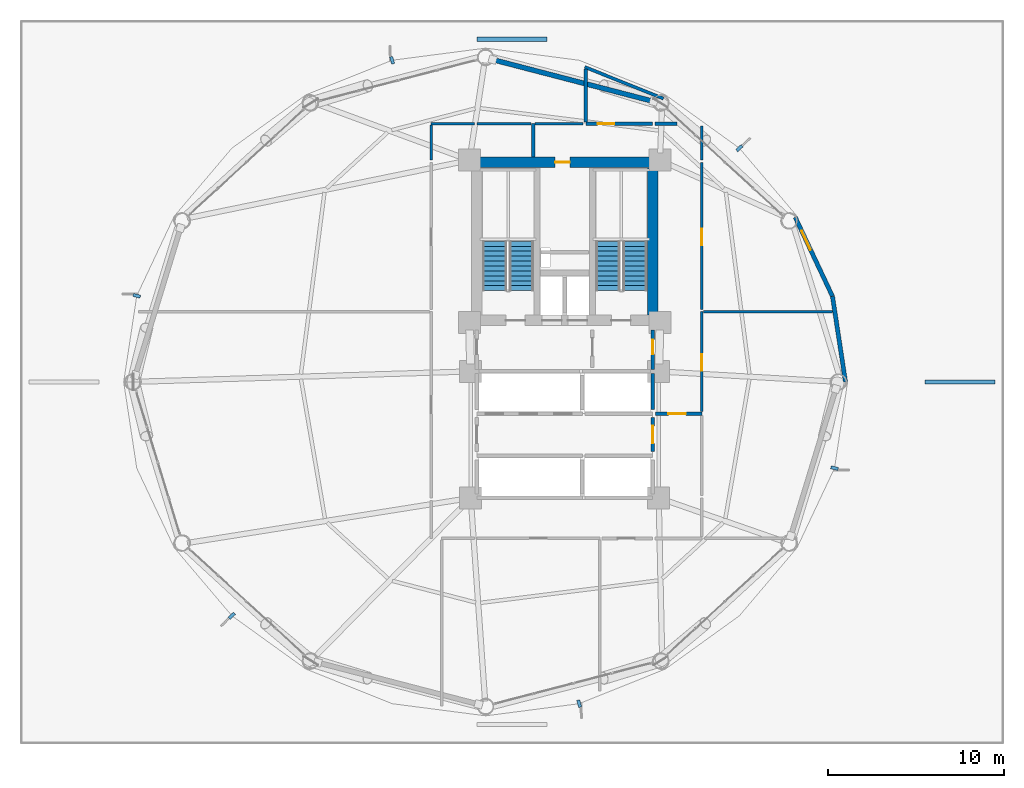
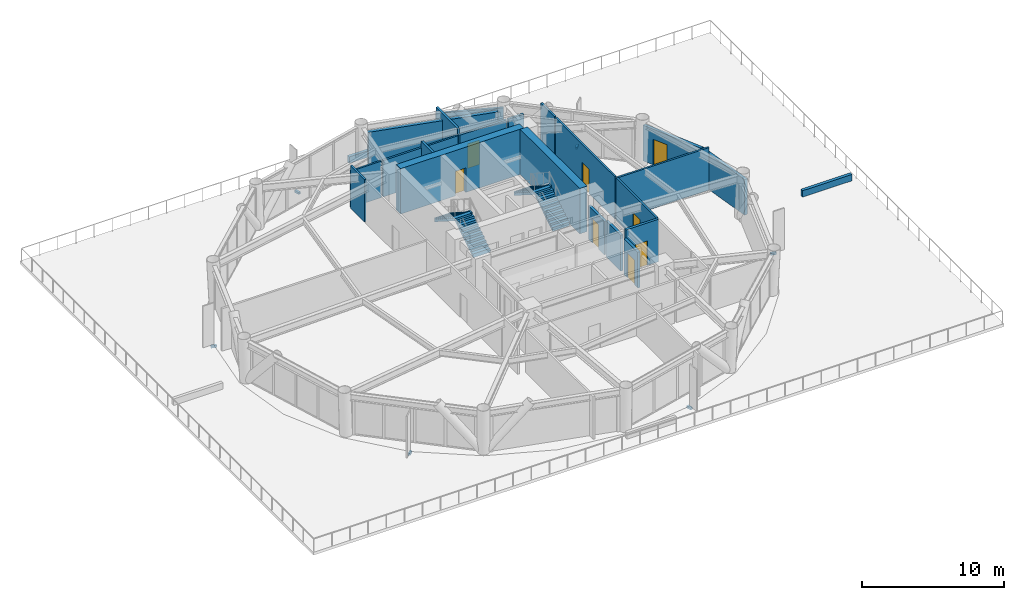
# One storey, part 21 of 24: 24 walls, 8 doors, 6 discrete accessories, 4 stair flights, 8 openings, 2 elements without a shape of their own.
"""IFC4 building model written with IfcOpenShell, lengths in metres."""

from ifc_helpers import new_model, si_unit, direction, frame, frame_2d, origin, origin_2d, place, context, subcontext, project, spatial, polyline, rectangle, outline, extrude, source, transform, mapped, material, layer, layer_set, type_object, type_shapes, element, fill, aggregate, save


model = new_model("IFC4")

# Units and contexts
model_context = context("Model", 3, precision=1e-05, world=origin(), true_north=direction((0.0, 1.0)))
body_context = subcontext(model_context, "Body", "Model", "MODEL_VIEW")
ifc_project = project(units=[si_unit("LENGTHUNIT", "METRE"), si_unit("AREAUNIT", "SQUARE_METRE"), si_unit("VOLUMEUNIT", "CUBIC_METRE"), si_unit("PLANEANGLEUNIT", "RADIAN"), si_unit("MASSUNIT", "GRAM", prefix="KILO")], contexts=[model_context])

# Site, building, storey
site_placement = place(None, origin())
site = spatial("IfcSite", under=ifc_project, at=site_placement, CompositionType="ELEMENT")
building_placement = place(site_placement, origin())
building = spatial("IfcBuilding", under=site, at=building_placement, Name="Varnakorn Sky Granary", CompositionType="ELEMENT")
storey_placement = place(building_placement, frame((0.0, 0.0, 27.60009765625)))
storey = spatial("IfcBuildingStorey", under=building, at=storey_placement, Name="L06", CompositionType="ELEMENT", Elevation=27.60009765625)

# Wall, opening, door
ifc_material_1 = material(Name="Concrete C60/75", Category="concrete")
ifc_layer_1 = layer(ifc_material_1, 0.60009765625, Name="Concrete C60/75")
ifc_layer_set_1 = layer_set([ifc_layer_1], Name="Concrete C60/75")
wall_type_1 = type_object("IfcWallType", Name="WT-CW-SHEAR-600", PredefinedType="SHEAR", material=ifc_layer_set_1)
wall_1_placement = place(storey_placement, frame((-2.0, 12.5, 0.0), z_axis=(0.0, 0.0, 1.0), x_axis=(1.0, 0.0, 0.0)))
wall_1 = element("IfcWall", 1, at=wall_1_placement, inside=storey, type_object=wall_type_1, Name="Core North Shear Wall L06", PredefinedType="SHEAR", context=body_context, shape_type="SweptSolid", body=[
    extrude(rectangle(XDim=10.0, YDim=0.60009765625, at=frame_2d((5.0, 0.0))), origin(), (0.0, 0.0, 1.0), 3.891845703125),
])
opening_1_placement = place(wall_1_placement, frame((4.449951171875, 0.0, 0.0)))
opening_1 = element("IfcOpeningElement", 2, at=opening_1_placement, cuts=wall_1, Name="Opening FD-60N", PredefinedType="OPENING", context=body_context, shape_type="SweptSolid", body=[
    extrude(rectangle(XDim=0.85009765625, YDim=2.10009765625, at=frame_2d((0.425048828125, 1.050048828125))), frame((0.0, 0.31005859375, 0.0), z_axis=(0.0, -1.0, 0.0), x_axis=(1.0, 0.0, 0.0)), (0.0, 0.0, 1.0), 0.6201171875),
])
ifc_material_2 = material(Name="Acoustic Timber Fire Leaf", Category="wood")
door_type_1 = type_object("IfcDoorType", Name="DR-FD60-850", OperationType="NOTDEFINED", PredefinedType="DOOR", material=ifc_material_2)
door_1_placement = place(opening_1_placement, origin())
door_1 = element("IfcDoor", 3, at=door_1_placement, inside=storey, type_object=door_type_1, Name="Core North Service Door L06", OperationType="SINGLE_SWING_RIGHT", OverallHeight=2.10009765625, OverallWidth=0.85009765625, PredefinedType="DOOR", context=body_context, shape_type="SweptSolid", body=[
    extrude(rectangle(XDim=0.85009765625, YDim=2.10009765625, at=frame_2d((0.425048828125, 1.050048828125))), frame((0.0, 0.02490234375, 0.0), z_axis=(0.0, -1.0, 0.0), x_axis=(1.0, 0.0, 0.0)), (0.0, 0.0, 1.0), 0.050048828125),
])
fill(opening_1, door_1)

# Walls
wall_2_placement = place(storey_placement, frame((8.0, 3.81005859375, 0.0), z_axis=(0.0, 0.0, 1.0), x_axis=(0.0, 1.0, 0.0)))
element("IfcWall", 4, at=wall_2_placement, inside=storey, type_object=wall_type_1, Name="Core East Shear Wall L06", PredefinedType="SHEAR", context=body_context, shape_type="SweptSolid", body=[
    extrude(rectangle(XDim=8.3798828125, YDim=0.60009765625, at=frame_2d((4.18994140625, 0.0))), origin(), (0.0, 0.0, 1.0), 3.891845703125),
])
ifc_material_3 = material(Name="Precast concrete C40/50", Category="concrete")
ifc_layer_2 = layer(ifc_material_3, 0.239990234375, Name="Precast concrete C40/50")
ifc_layer_set_2 = layer_set([ifc_layer_2], Name="Precast concrete C40/50")
wall_type_2 = type_object("IfcWallType", Name="WT-EW-BAL-260", PredefinedType="SOLIDWALL", material=ifc_layer_set_2)
wall_3_placement = place(storey_placement, frame((18.23876953125, 4.875, 0.0), z_axis=(0.0, 0.0, 1.0), x_axis=(0.150315759556, -0.988638039137, 0.0)))
element("IfcWall", 5, at=wall_3_placement, inside=storey, type_object=wall_type_2, Name="Balcony Threshold Facade Wall L06-B01A", PredefinedType="SOLIDWALL", context=body_context, shape_type="SweptSolid", body=[
    extrude(rectangle(XDim=4.930908203125, YDim=0.239990234375, at=frame_2d((2.46533203125, 0.0))), origin(), (0.0, 0.0, 1.0), 3.059814453125),
])

# Wall, opening, door
wall_4_placement = place(storey_placement, frame((16.119384765625, 9.37255859375, 0.0), z_axis=(0.0, 0.0, 1.0), x_axis=(0.426272299263, -0.904594896559, 0.0)))
wall_4 = element("IfcWall", 6, at=wall_4_placement, inside=storey, type_object=wall_type_2, Name="Balcony Return Facade Wall L06-B01B", PredefinedType="SOLIDWALL", context=body_context, shape_type="SweptSolid", body=[
    extrude(rectangle(XDim=4.971923828125, YDim=0.239990234375, at=frame_2d((2.48583984375, 0.0))), origin(), (0.0, 0.0, 1.0), 3.059814453125),
])
opening_2_placement = place(wall_4_placement, frame((0.85009765625, 0.0, 0.0)))
opening_2 = element("IfcOpeningElement", 7, at=opening_2_placement, cuts=wall_4, Name="Opening BD-01", PredefinedType="OPENING", context=body_context, shape_type="SweptSolid", body=[
    extrude(rectangle(XDim=1.199951171875, YDim=2.199951171875, at=frame_2d((0.60009765625, 1.10009765625))), frame((0.0, 0.1298828125, 0.0), z_axis=(0.0, -1.0, 0.0), x_axis=(1.0, 0.0, 0.0)), (0.0, 0.0, 1.0), 0.260009765625),
])
ifc_material_4 = material(Name="Anodised Bronze Aluminium Alloy 6063-T6", Category="aluminium")
door_type_2 = type_object("IfcDoorType", Name="DR-BAL-1200", OperationType="NOTDEFINED", PredefinedType="DOOR", material=ifc_material_4)
door_2_placement = place(opening_2_placement, origin())
door_2 = element("IfcDoor", 8, at=door_2_placement, inside=storey, type_object=door_type_2, Name="Sky-Farm Balcony Access Door L06", OperationType="SINGLE_SWING_RIGHT", OverallHeight=2.199951171875, OverallWidth=1.199951171875, PredefinedType="DOOR", context=body_context, shape_type="SweptSolid", body=[
    extrude(rectangle(XDim=1.199951171875, YDim=2.199951171875, at=frame_2d((0.60009765625, 1.10009765625))), frame((0.0, 0.02490234375, 0.0), z_axis=(0.0, -1.0, 0.0), x_axis=(1.0, 0.0, 0.0)), (0.0, 0.0, 1.0), 0.050048828125),
])
fill(opening_2, door_2)

# Wall
ifc_layer_3 = layer(ifc_material_3, 0.280029296875, Name="Precast concrete C40/50")
ifc_layer_set_3 = layer_set([ifc_layer_3], Name="Precast concrete C40/50")
wall_type_3 = type_object("IfcWallType", Name="WT-EW-CRN-280", PredefinedType="SOLIDWALL", material=ifc_layer_set_3)
wall_5_placement = place(storey_placement, frame((-1.101318359375, 18.34619140625, 0.0), z_axis=(0.0, 0.0, 1.0), x_axis=(0.967836325918, -0.251580695274, 0.0)))
element("IfcWall", 9, at=wall_5_placement, inside=storey, type_object=wall_type_3, Name="Agritech Insulated Precast Facade Wall L06-P03", PredefinedType="SOLIDWALL", context=body_context, shape_type="SweptSolid", body=[
    extrude(rectangle(XDim=9.464599609375, YDim=0.280029296875, at=frame_2d((4.732421875, 0.0))), origin(), (0.0, 0.0, 1.0), 3.059814453125),
])

# Wall, opening, door
ifc_material_5 = material(Name="Autoclaved Aerated Concrete Blockwork", Category="masonry")
ifc_layer_4 = layer(ifc_material_5, 0.199951171875, Name="Autoclaved Aerated Concrete Blockwork")
ifc_layer_set_4 = layer_set([ifc_layer_4], Name="Autoclaved Aerated Concrete Blockwork")
wall_type_4 = type_object("IfcWallType", Name="WT-FIRE-200", PredefinedType="MOVABLE", material=ifc_layer_set_4)
wall_6_placement = place(storey_placement, frame((8.0, 0.719970703125, 0.0), z_axis=(0.0, 0.0, 1.0), x_axis=(0.0, 1.0, 0.0)))
wall_6 = element("IfcWall", 10, at=wall_6_placement, inside=storey, type_object=wall_type_4, Name="Interior Partition Wall L06-018", PredefinedType="MOVABLE", context=body_context, shape_type="SweptSolid", body=[
    extrude(rectangle(XDim=2.25, YDim=0.199951171875, at=frame_2d((1.125, 0.0))), origin(), (0.0, 0.0, 1.0), 2.871826171875),
])
opening_3_placement = place(wall_6_placement, frame((0.844970703125, 0.0, 0.0)))
opening_3 = element("IfcOpeningElement", 11, at=opening_3_placement, cuts=wall_6, Name="Opening FD-60N", PredefinedType="OPENING", context=body_context, shape_type="SweptSolid", body=[
    extrude(rectangle(XDim=0.85009765625, YDim=2.10009765625, at=frame_2d((0.425048828125, 1.050048828125))), frame((0.0, 0.10986328125, 0.0), z_axis=(0.0, -1.0, 0.0), x_axis=(1.0, 0.0, 0.0)), (0.0, 0.0, 1.0), 0.219970703125),
])
door_3_placement = place(opening_3_placement, origin())
door_3 = element("IfcDoor", 12, at=door_3_placement, inside=storey, type_object=door_type_1, Name="Interior Door L06-018-1", OperationType="SINGLE_SWING_LEFT", OverallHeight=2.10009765625, OverallWidth=0.85009765625, PredefinedType="DOOR", context=body_context, shape_type="SweptSolid", body=[
    extrude(rectangle(XDim=0.85009765625, YDim=2.10009765625, at=frame_2d((0.425048828125, 1.050048828125))), frame((0.0, 0.02490234375, 0.0), z_axis=(0.0, -1.0, 0.0), x_axis=(1.0, 0.0, 0.0)), (0.0, 0.0, 1.0), 0.050048828125),
])
fill(opening_3, door_3)

wall_7_placement = place(storey_placement, frame((8.0, -3.969970703125, 0.0), z_axis=(0.0, 0.0, 1.0), x_axis=(0.0, 1.0, 0.0)))
wall_7 = element("IfcWall", 13, at=wall_7_placement, inside=storey, type_object=wall_type_4, Name="Interior Partition Wall L06-020", PredefinedType="MOVABLE", context=body_context, shape_type="SweptSolid", body=[
    extrude(rectangle(XDim=1.93994140625, YDim=0.199951171875, at=frame_2d((0.969970703125, 0.0))), origin(), (0.0, 0.0, 1.0), 3.072021484375),
])
opening_4_placement = place(wall_7_placement, frame((0.469970703125, 0.0, 0.0)))
opening_4 = element("IfcOpeningElement", 14, at=opening_4_placement, cuts=wall_7, Name="Opening FD-60", PredefinedType="OPENING", context=body_context, shape_type="SweptSolid", body=[
    extrude(rectangle(XDim=1.0, YDim=2.10009765625, at=frame_2d((0.5, 1.050048828125))), frame((0.0, 0.10986328125, 0.0), z_axis=(0.0, -1.0, 0.0), x_axis=(1.0, 0.0, 0.0)), (0.0, 0.0, 1.0), 0.219970703125),
])
door_type_3 = type_object("IfcDoorType", Name="DR-FD60-1000", OperationType="NOTDEFINED", PredefinedType="DOOR", material=ifc_material_2)
door_4_placement = place(opening_4_placement, origin())
door_4 = element("IfcDoor", 15, at=door_4_placement, inside=storey, type_object=door_type_3, Name="Interior Door L06-020-1", OperationType="SINGLE_SWING_LEFT", OverallHeight=2.10009765625, OverallWidth=1.0, PredefinedType="DOOR", context=body_context, shape_type="SweptSolid", body=[
    extrude(rectangle(XDim=1.0, YDim=2.10009765625, at=frame_2d((0.5, 1.050048828125))), frame((0.0, 0.02490234375, 0.0), z_axis=(0.0, -1.0, 0.0), x_axis=(1.0, 0.0, 0.0)), (0.0, 0.0, 1.0), 0.050048828125),
])
fill(opening_4, door_4)

wall_8_placement = place(storey_placement, frame((8.159912109375, -1.800048828125, 0.0), z_axis=(0.0, 0.0, 1.0), x_axis=(1.0, 0.0, 0.0)))
wall_8 = element("IfcWall", 16, at=wall_8_placement, inside=storey, type_object=wall_type_4, Name="Interior Partition Wall L06-021", PredefinedType="MOVABLE", context=body_context, shape_type="SweptSolid", body=[
    extrude(rectangle(XDim=2.64013671875, YDim=0.199951171875, at=frame_2d((1.320068359375, 0.0))), origin(), (0.0, 0.0, 1.0), 3.639892578125),
])
opening_5_placement = place(wall_8_placement, frame((0.739990234375, 0.0, 0.0)))
opening_5 = element("IfcOpeningElement", 17, at=opening_5_placement, cuts=wall_8, Name="Opening FD-60", PredefinedType="OPENING", context=body_context, shape_type="SweptSolid", body=[
    extrude(rectangle(XDim=1.0, YDim=2.10009765625, at=frame_2d((0.5, 1.050048828125))), frame((0.0, 0.10986328125, 0.0), z_axis=(0.0, -1.0, 0.0), x_axis=(1.0, 0.0, 0.0)), (0.0, 0.0, 1.0), 0.219970703125),
])
door_5_placement = place(opening_5_placement, origin())
door_5 = element("IfcDoor", 18, at=door_5_placement, inside=storey, type_object=door_type_3, Name="Interior Door L06-021-1", OperationType="SINGLE_SWING_RIGHT", OverallHeight=2.10009765625, OverallWidth=1.0, PredefinedType="DOOR", context=body_context, shape_type="SweptSolid", body=[
    extrude(rectangle(XDim=1.0, YDim=2.10009765625, at=frame_2d((0.5, 1.050048828125))), frame((0.0, 0.02490234375, 0.0), z_axis=(0.0, -1.0, 0.0), x_axis=(1.0, 0.0, 0.0)), (0.0, 0.0, 1.0), 0.050048828125),
])
fill(opening_5, door_5)

# Wall
wall_9_placement = place(storey_placement, frame((1.199951171875, 14.699951171875, 0.0), z_axis=(0.0, 0.0, 1.0), x_axis=(0.0, -1.0, 0.0)))
element("IfcWall", 19, at=wall_9_placement, inside=storey, type_object=wall_type_4, Name="Interior Partition Wall L06-030", PredefinedType="MOVABLE", context=body_context, shape_type="SweptSolid", body=[
    extrude(rectangle(XDim=1.889892578125, YDim=0.199951171875, at=frame_2d((0.94482421875, 0.0))), origin(), (0.0, 0.0, 1.0), 3.639892578125),
])

# Wall, opening, door
ifc_material_6 = material(Name="Gypsum Plasterboard on Steel Stud", Category="steel")
ifc_layer_5 = layer(ifc_material_6, 0.14990234375, Name="Gypsum Plasterboard on Steel Stud")
ifc_layer_set_5 = layer_set([ifc_layer_5], Name="Gypsum Plasterboard on Steel Stud")
wall_type_5 = type_object("IfcWallType", Name="WT-PART-150", PredefinedType="PARTITIONING", material=ifc_layer_set_5)
wall_10_placement = place(storey_placement, frame((10.800048828125, -1.68994140625, 0.0), z_axis=(0.0, 0.0, 1.0), x_axis=(0.0, 1.0, 0.0)))
wall_10 = element("IfcWall", 20, at=wall_10_placement, inside=storey, type_object=wall_type_5, Name="Interior Partition Wall L06-026", PredefinedType="PARTITIONING", context=body_context, shape_type="SweptSolid", body=[
    extrude(rectangle(XDim=5.68994140625, YDim=0.14990234375, at=frame_2d((2.844970703125, 0.0))), origin(), (0.0, 0.0, 1.0), 3.639892578125),
])
opening_6_placement = place(wall_10_placement, frame((2.31494140625, 0.0, 0.0)))
opening_6 = element("IfcOpeningElement", 21, at=opening_6_placement, cuts=wall_10, Name="Opening ID-95", PredefinedType="OPENING", context=body_context, shape_type="SweptSolid", body=[
    extrude(rectangle(XDim=0.949951171875, YDim=2.10009765625, at=frame_2d((0.47509765625, 1.050048828125))), frame((0.0, 0.0849609375, 0.0), z_axis=(0.0, -1.0, 0.0), x_axis=(1.0, 0.0, 0.0)), (0.0, 0.0, 1.0), 0.169921875),
])
ifc_material_7 = material(Name="Solid-Core Teak Veneer Leaf", Category="timber")
door_type_4 = type_object("IfcDoorType", Name="DR-INT-950", OperationType="NOTDEFINED", PredefinedType="DOOR", material=ifc_material_7)
door_6_placement = place(opening_6_placement, origin())
door_6 = element("IfcDoor", 22, at=door_6_placement, inside=storey, type_object=door_type_4, Name="Interior Door L06-026-1", OperationType="SINGLE_SWING_LEFT", OverallHeight=2.10009765625, OverallWidth=0.949951171875, PredefinedType="DOOR", context=body_context, shape_type="SweptSolid", body=[
    extrude(rectangle(XDim=0.949951171875, YDim=2.10009765625, at=frame_2d((0.47509765625, 1.050048828125))), frame((0.0, 0.02490234375, 0.0), z_axis=(0.0, -1.0, 0.0), x_axis=(1.0, 0.0, 0.0)), (0.0, 0.0, 1.0), 0.050048828125),
])
fill(opening_6, door_6)

wall_11_placement = place(storey_placement, frame((10.800048828125, 4.135009765625, 0.0), z_axis=(0.0, 0.0, 1.0), x_axis=(0.0, 1.0, 0.0)))
wall_11 = element("IfcWall", 23, at=wall_11_placement, inside=storey, type_object=wall_type_5, Name="Interior Partition Wall L06-028", PredefinedType="PARTITIONING", context=body_context, shape_type="SweptSolid", body=[
    extrude(rectangle(XDim=8.364990234375, YDim=0.14990234375, at=frame_2d((4.1826171875, 0.0))), origin(), (0.0, 0.0, 1.0), 3.639892578125),
])
opening_7_placement = place(wall_11_placement, frame((3.639892578125, 0.0, 0.0)))
opening_7 = element("IfcOpeningElement", 24, at=opening_7_placement, cuts=wall_11, Name="Opening ID-95", PredefinedType="OPENING", context=body_context, shape_type="SweptSolid", body=[
    extrude(rectangle(XDim=0.949951171875, YDim=2.10009765625, at=frame_2d((0.47509765625, 1.050048828125))), frame((0.0, 0.0849609375, 0.0), z_axis=(0.0, -1.0, 0.0), x_axis=(1.0, 0.0, 0.0)), (0.0, 0.0, 1.0), 0.169921875),
])
door_7_placement = place(opening_7_placement, origin())
door_7 = element("IfcDoor", 25, at=door_7_placement, inside=storey, type_object=door_type_4, Name="Interior Door L06-028-1", OperationType="SINGLE_SWING_LEFT", OverallHeight=2.10009765625, OverallWidth=0.949951171875, PredefinedType="DOOR", context=body_context, shape_type="SweptSolid", body=[
    extrude(rectangle(XDim=0.949951171875, YDim=2.10009765625, at=frame_2d((0.47509765625, 1.050048828125))), frame((0.0, 0.02490234375, 0.0), z_axis=(0.0, -1.0, 0.0), x_axis=(1.0, 0.0, 0.0)), (0.0, 0.0, 1.0), 0.050048828125),
])
fill(opening_7, door_7)

# Walls
wall_12_placement = place(storey_placement, frame((10.885009765625, 4.0, 0.0), z_axis=(0.0, 0.0, 1.0), x_axis=(1.0, 0.0, 0.0)))
element("IfcWall", 26, at=wall_12_placement, inside=storey, type_object=wall_type_5, Name="Interior Partition Wall L06-041", PredefinedType="PARTITIONING", context=body_context, shape_type="SweptSolid", body=[
    extrude(rectangle(XDim=7.365966796875, YDim=0.14990234375, at=frame_2d((3.68310546875, 0.0))), origin(), (0.0, 0.0, 1.0), 3.639892578125),
])
wall_13_placement = place(storey_placement, frame((1.090087890625, 14.699951171875, 0.0), z_axis=(0.0, 0.0, 1.0), x_axis=(-1.0, 0.0, 0.0)))
element("IfcWall", 27, at=wall_13_placement, inside=storey, type_object=wall_type_5, Name="Interior Partition Wall L06-042", PredefinedType="PARTITIONING", context=body_context, shape_type="SweptSolid", body=[
    extrude(rectangle(XDim=3.090087890625, YDim=0.14990234375, at=frame_2d((1.544921875, 0.0))), origin(), (0.0, 0.0, 1.0), 3.121826171875),
])
wall_14_placement = place(storey_placement, frame((-2.135009765625, 14.699951171875, 0.0), z_axis=(0.0, 0.0, 1.0), x_axis=(-1.0, 0.0, 0.0)))
element("IfcWall", 28, at=wall_14_placement, inside=storey, type_object=wall_type_5, Name="Interior Partition Wall L06-043", PredefinedType="PARTITIONING", context=body_context, shape_type="SweptSolid", body=[
    extrude(rectangle(XDim=2.465087890625, YDim=0.14990234375, at=frame_2d((1.232421875, 0.0))), origin(), (0.0, 0.0, 1.0), 3.121826171875),
])
wall_15_placement = place(storey_placement, frame((-4.60009765625, 14.614990234375, 0.0), z_axis=(0.0, 0.0, 1.0), x_axis=(0.0, -1.0, 0.0)))
element("IfcWall", 29, at=wall_15_placement, inside=storey, type_object=wall_type_5, Name="Interior Partition Wall L06-044", PredefinedType="PARTITIONING", context=body_context, shape_type="SweptSolid", body=[
    extrude(rectangle(XDim=1.97998046875, YDim=0.14990234375, at=frame_2d((0.989990234375, 0.0))), origin(), (0.0, 0.0, 1.0), 3.639892578125),
])
wall_16_placement = place(storey_placement, frame((4.050048828125, 14.699951171875, 0.0), z_axis=(0.0, 0.0, 1.0), x_axis=(-1.0, 0.0, 0.0)))
element("IfcWall", 30, at=wall_16_placement, inside=storey, type_object=wall_type_5, Name="Interior Partition Wall L06-045", PredefinedType="PARTITIONING", context=body_context, shape_type="SweptSolid", body=[
    extrude(rectangle(XDim=2.739990234375, YDim=0.14990234375, at=frame_2d((1.3701171875, 0.0))), origin(), (0.0, 0.0, 1.0), 3.121826171875),
])
wall_17_placement = place(storey_placement, frame((10.800048828125, 12.635009765625, 0.0), z_axis=(0.0, 0.0, 1.0), x_axis=(0.0, 1.0, 0.0)))
element("IfcWall", 31, at=wall_17_placement, inside=storey, type_object=wall_type_5, Name="Interior Partition Wall L06-048", PredefinedType="PARTITIONING", context=body_context, shape_type="SweptSolid", body=[
    extrude(rectangle(XDim=1.919921875, YDim=0.14990234375, at=frame_2d((0.9599609375, 0.0))), origin(), (0.0, 0.0, 1.0), 3.639892578125),
])

# Wall, opening, door
ifc_material_8 = material(Name="Moisture-Resistant Gypsum on Stud", Category="gypsum")
ifc_layer_6 = layer(ifc_material_8, 0.179931640625, Name="Moisture-Resistant Gypsum on Stud")
ifc_layer_set_6 = layer_set([ifc_layer_6], Name="Moisture-Resistant Gypsum on Stud")
wall_type_6 = type_object("IfcWallType", Name="WT-PLUMB-180", PredefinedType="PLUMBINGWALL", material=ifc_layer_set_6)
wall_18_placement = place(storey_placement, frame((8.0, 14.699951171875, 0.0), z_axis=(0.0, 0.0, 1.0), x_axis=(-1.0, 0.0, 0.0)))
wall_18 = element("IfcWall", 32, at=wall_18_placement, inside=storey, type_object=wall_type_6, Name="Interior Partition Wall L06-022", PredefinedType="PLUMBINGWALL", context=body_context, shape_type="SweptSolid", body=[
    extrude(rectangle(XDim=3.800048828125, YDim=0.179931640625, at=frame_2d((1.89990234375, 0.0))), origin(), (0.0, 0.0, 1.0), 3.121826171875),
])
opening_8_placement = place(wall_18_placement, frame((2.175048828125, 0.0, 0.0)))
opening_8 = element("IfcOpeningElement", 33, at=opening_8_placement, cuts=wall_18, Name="Opening ID-95", PredefinedType="OPENING", context=body_context, shape_type="SweptSolid", body=[
    extrude(rectangle(XDim=0.949951171875, YDim=2.10009765625, at=frame_2d((0.47509765625, 1.050048828125))), frame((0.0, 0.10009765625, 0.0), z_axis=(0.0, -1.0, 0.0), x_axis=(1.0, 0.0, 0.0)), (0.0, 0.0, 1.0), 0.199951171875),
])
door_8_placement = place(opening_8_placement, origin())
door_8 = element("IfcDoor", 34, at=door_8_placement, inside=storey, type_object=door_type_4, Name="Interior Door L06-022-1", OperationType="SINGLE_SWING_LEFT", OverallHeight=2.10009765625, OverallWidth=0.949951171875, PredefinedType="DOOR", context=body_context, shape_type="SweptSolid", body=[
    extrude(rectangle(XDim=0.949951171875, YDim=2.10009765625, at=frame_2d((0.47509765625, 1.050048828125))), frame((0.0, 0.02490234375, 0.0), z_axis=(0.0, -1.0, 0.0), x_axis=(1.0, 0.0, 0.0)), (0.0, 0.0, 1.0), 0.050048828125),
])
fill(opening_8, door_8)

# Walls
wall_19_placement = place(storey_placement, frame((9.39990234375, 14.699951171875, 0.0), z_axis=(0.0, 0.0, 1.0), x_axis=(-1.0, 0.0, 0.0)))
element("IfcWall", 35, at=wall_19_placement, inside=storey, type_object=wall_type_6, Name="Interior Partition Wall L06-031", PredefinedType="PLUMBINGWALL", context=body_context, shape_type="SweptSolid", body=[
    extrude(rectangle(XDim=1.25, YDim=0.179931640625, at=frame_2d((0.625, 0.0))), origin(), (0.0, 0.0, 1.0), 3.121826171875),
])
wall_20_placement = place(storey_placement, frame((4.14404296875, 17.922119140625, 0.0), z_axis=(0.0, 0.0, 1.0), x_axis=(0.928144118183, -0.372221030952, 0.0)))
element("IfcWall", 36, at=wall_20_placement, inside=storey, type_object=wall_type_6, Name="Interior Partition Wall L06-046", PredefinedType="PLUMBINGWALL", context=body_context, shape_type="SweptSolid", body=[
    extrude(rectangle(XDim=4.81494140625, YDim=0.179931640625, at=frame_2d((2.407470703125, 0.0))), origin(), (0.0, 0.0, 1.0), 3.072021484375),
])
wall_21_placement = place(storey_placement, frame((4.199951171875, 17.800048828125, 0.0), z_axis=(0.0, 0.0, 1.0), x_axis=(0.0, -1.0, 0.0)))
element("IfcWall", 37, at=wall_21_placement, inside=storey, type_object=wall_type_6, Name="Interior Partition Wall L06-047", PredefinedType="PLUMBINGWALL", context=body_context, shape_type="SweptSolid", body=[
    extrude(rectangle(XDim=3.0, YDim=0.179931640625, at=frame_2d((1.5, 0.0))), origin(), (0.0, 0.0, 1.0), 3.639892578125),
])
ifc_layer_7 = layer(ifc_material_5, 0.199951171875, Name="Autoclaved Aerated Concrete Blockwork")
ifc_layer_set_7 = layer_set([ifc_layer_7], Name="Autoclaved Aerated Concrete Blockwork")
wall_type_7 = type_object("IfcWallType", Name="WT-SHAFT-200", PredefinedType="SOLIDWALL", material=ifc_layer_set_7)
wall_22_placement = place(storey_placement, frame((8.0, -1.570068359375, 0.0), z_axis=(0.0, 0.0, 1.0), x_axis=(0.0, 1.0, 0.0)))
element("IfcWall", 38, at=wall_22_placement, inside=storey, type_object=wall_type_7, Name="Interior Partition Wall L06-008", PredefinedType="SOLIDWALL", context=body_context, shape_type="SweptSolid", body=[
    extrude(rectangle(XDim=2.050048828125, YDim=0.199951171875, at=frame_2d((1.02490234375, 0.0))), origin(), (0.0, 0.0, 1.0), 3.072021484375),
])
ifc_layer_8 = layer(ifc_material_3, 0.239990234375, Name="Precast concrete C40/50")
ifc_layer_set_8 = layer_set([ifc_layer_8], Name="Precast concrete C40/50")
wall_type_8 = type_object("IfcWallType", Name="WT-WP-PLN-240", PredefinedType="PARAPET", material=ifc_layer_set_8)
for number, where, z_axis, x_axis, name in (
    (39, (23.5, 0.0, 0.0), (0.0, 0.0, 1.0), (1.0, 0.0, 0.0), "Podium Roof Cultivar Planter Bed PLANTER L06-2"),
    (40, (-2.0, 19.5, 0.0), (0.0, 0.0, 1.0), (1.0, 0.0, 0.0), "Podium Roof Cultivar Planter Bed PLANTER L06-4"),
):
    element("IfcWall", number, at=place(storey_placement, frame(where, z_axis=z_axis, x_axis=x_axis)), inside=storey, type_object=wall_type_8, Name=name, PredefinedType="PARAPET", context=body_context, shape_type="SweptSolid", body=[
        extrude(rectangle(XDim=4.0, YDim=0.239990234375, at=frame_2d((2.0, 0.0))), origin(), (0.0, 0.0, 1.0), 0.5498046875),
    ])

# Stair, stair flights
ifc_material_9 = material(Name="Concrete C40/50", Category="concrete")
stair_type = type_object("IfcStairType", Name="ST-MAIN-ASSEMBLY", PredefinedType="HALF_TURN_STAIR", material=ifc_material_9)
stair_1_placement = place(storey_placement, origin())
stair_1 = element("IfcStair", 41, at=stair_1_placement, inside=storey, type_object=stair_type, Name="L06 Protected Exit Stair ST-1", PredefinedType="HALF_TURN_STAIR")
stair_flight_type = type_object("IfcStairFlightType", Name="ST-MAIN-FLIGHT", PredefinedType="STRAIGHT", material=ifc_material_9)
stair_flight_1_placement = place(storey_placement, frame((0.550048828125, 5.199951171875, 0.0), z_axis=(0.0, 0.0, 1.0), x_axis=(0.0, 1.0, 0.0)))
stair_flight_1 = element("IfcStairFlight", 42, at=stair_flight_1_placement, type_object=stair_flight_type, Name="ST-1 flight 1", NumberOfRisers=11, NumberOfTreads=10, PredefinedType="STRAIGHT", RiserHeight=0.177272727, TreadLength=0.28, context=body_context, shape_type="SweptSolid", body=[
    extrude(outline(polyline([(0.0, -0.14990234375), (0.0, 0.0), (0.0, 0.17724609375), (0.280029296875, 0.17724609375), (0.280029296875, 0.3544921875), (0.56005859375, 0.3544921875), (0.56005859375, 0.53173828125), (0.840087890625, 0.53173828125), (0.840087890625, 0.708984375), (1.1201171875, 0.708984375), (1.1201171875, 0.886474609375), (1.39990234375, 0.886474609375), (1.39990234375, 1.063720703125), (1.679931640625, 1.063720703125), (1.679931640625, 1.240966796875), (1.9599609375, 1.240966796875), (1.9599609375, 1.418212890625), (2.239990234375, 1.418212890625), (2.239990234375, 1.595458984375), (2.52001953125, 1.595458984375), (2.52001953125, 1.772705078125), (2.800048828125, 1.772705078125), (2.800048828125, 1.949951171875), (2.800048828125, 1.59521484375), (0.050048828125, -0.14990234375), (0.0, -0.14990234375)])), frame((0.0, 0.68994140625, 0.0), z_axis=(0.0, -1.0, 0.0), x_axis=(1.0, 0.0, 0.0)), (0.0, 0.0, 1.0), 1.3798828125),
])
stair_flight_2_placement = place(storey_placement, frame((-0.97998046875, 8.0, 1.949951171875), z_axis=(0.0, 0.0, 1.0), x_axis=(0.0, -1.0, 0.0)))
stair_flight_2 = element("IfcStairFlight", 43, at=stair_flight_2_placement, type_object=stair_flight_type, Name="ST-1 flight 2", NumberOfRisers=11, NumberOfTreads=10, PredefinedType="STRAIGHT", RiserHeight=0.177272727, TreadLength=0.28, context=body_context, shape_type="SweptSolid", body=[
    extrude(outline(polyline([(0.0, -0.14990234375), (0.0, 0.0), (0.0, 0.17724609375), (0.280029296875, 0.17724609375), (0.280029296875, 0.3544921875), (0.56005859375, 0.3544921875), (0.56005859375, 0.53173828125), (0.840087890625, 0.53173828125), (0.840087890625, 0.708984375), (1.1201171875, 0.708984375), (1.1201171875, 0.886474609375), (1.39990234375, 0.886474609375), (1.39990234375, 1.063720703125), (1.679931640625, 1.063720703125), (1.679931640625, 1.240966796875), (1.9599609375, 1.240966796875), (1.9599609375, 1.418212890625), (2.239990234375, 1.418212890625), (2.239990234375, 1.595458984375), (2.52001953125, 1.595458984375), (2.52001953125, 1.772705078125), (2.800048828125, 1.772705078125), (2.800048828125, 1.949951171875), (2.800048828125, 1.59521484375), (0.050048828125, -0.14990234375), (0.0, -0.14990234375)])), frame((0.0, 0.68994140625, 0.0), z_axis=(0.0, -1.0, 0.0), x_axis=(1.0, 0.0, 0.0)), (0.0, 0.0, 1.0), 1.3798828125),
])
aggregate(stair_1, [stair_flight_1, stair_flight_2])

stair_2_placement = place(storey_placement, origin())
stair_2 = element("IfcStair", 44, at=stair_2_placement, inside=storey, type_object=stair_type, Name="L06 Protected Exit Stair ST-2", PredefinedType="HALF_TURN_STAIR")
stair_flight_3_placement = place(storey_placement, frame((6.989990234375, 5.199951171875, 0.0), z_axis=(0.0, 0.0, 1.0), x_axis=(0.0, 1.0, 0.0)))
stair_flight_3 = element("IfcStairFlight", 45, at=stair_flight_3_placement, type_object=stair_flight_type, Name="ST-2 flight 1", NumberOfRisers=11, NumberOfTreads=10, PredefinedType="STRAIGHT", RiserHeight=0.177272727, TreadLength=0.28, context=body_context, shape_type="SweptSolid", body=[
    extrude(outline(polyline([(0.0, -0.14990234375), (0.0, 0.0), (0.0, 0.17724609375), (0.280029296875, 0.17724609375), (0.280029296875, 0.3544921875), (0.56005859375, 0.3544921875), (0.56005859375, 0.53173828125), (0.840087890625, 0.53173828125), (0.840087890625, 0.708984375), (1.1201171875, 0.708984375), (1.1201171875, 0.886474609375), (1.39990234375, 0.886474609375), (1.39990234375, 1.063720703125), (1.679931640625, 1.063720703125), (1.679931640625, 1.240966796875), (1.9599609375, 1.240966796875), (1.9599609375, 1.418212890625), (2.239990234375, 1.418212890625), (2.239990234375, 1.595458984375), (2.52001953125, 1.595458984375), (2.52001953125, 1.772705078125), (2.800048828125, 1.772705078125), (2.800048828125, 1.949951171875), (2.800048828125, 1.59521484375), (0.050048828125, -0.14990234375), (0.0, -0.14990234375)])), frame((0.0, 0.68994140625, 0.0), z_axis=(0.0, -1.0, 0.0), x_axis=(1.0, 0.0, 0.0)), (0.0, 0.0, 1.0), 1.3798828125),
])
stair_flight_4_placement = place(storey_placement, frame((5.4599609375, 8.0, 1.949951171875), z_axis=(0.0, 0.0, 1.0), x_axis=(0.0, -1.0, 0.0)))
stair_flight_4 = element("IfcStairFlight", 46, at=stair_flight_4_placement, type_object=stair_flight_type, Name="ST-2 flight 2", NumberOfRisers=11, NumberOfTreads=10, PredefinedType="STRAIGHT", RiserHeight=0.177272727, TreadLength=0.28, context=body_context, shape_type="SweptSolid", body=[
    extrude(outline(polyline([(0.0, -0.14990234375), (0.0, 0.0), (0.0, 0.17724609375), (0.280029296875, 0.17724609375), (0.280029296875, 0.3544921875), (0.56005859375, 0.3544921875), (0.56005859375, 0.53173828125), (0.840087890625, 0.53173828125), (0.840087890625, 0.708984375), (1.1201171875, 0.708984375), (1.1201171875, 0.886474609375), (1.39990234375, 0.886474609375), (1.39990234375, 1.063720703125), (1.679931640625, 1.063720703125), (1.679931640625, 1.240966796875), (1.9599609375, 1.240966796875), (1.9599609375, 1.418212890625), (2.239990234375, 1.418212890625), (2.239990234375, 1.595458984375), (2.52001953125, 1.595458984375), (2.52001953125, 1.772705078125), (2.800048828125, 1.772705078125), (2.800048828125, 1.949951171875), (2.800048828125, 1.59521484375), (0.050048828125, -0.14990234375), (0.0, -0.14990234375)])), frame((0.0, 0.68994140625, 0.0), z_axis=(0.0, -1.0, 0.0), x_axis=(1.0, 0.0, 0.0)), (0.0, 0.0, 1.0), 1.3798828125),
])
aggregate(stair_2, [stair_flight_3, stair_flight_4])

# Discrete accessories
ifc_material_10 = material(Name="Steel S355JR", Category="steel")
discrete_accessory_type = type_object("IfcDiscreteAccessoryType", Name="AC-BRK-01", PredefinedType="BRACKET", material=ifc_material_10)
shared_shape = source(origin(), body_context, "Body", "SweptSolid", [
    extrude(rectangle(XDim=0.179931640625, YDim=0.419921875, at=origin_2d()), origin(), (0.0, 0.0, 1.0), 0.179931640625),
])
type_shapes(discrete_accessory_type, [shared_shape])
for number, where, z_axis, x_axis, name in (
    (47, (12.942626953125, 13.30419921875, -0.2001953125), (0.0, 0.0, 1.0), (-0.677526600376, 0.735498270415, 0.0), "Facade Solar-Screen Outrigger Bracket L06-02"),
    (48, (-6.822509765625, 18.308349609375, -0.2001953125), (0.0, 0.0, 1.0), (-0.960245780293, -0.279155944643, 0.0), "Facade Solar-Screen Outrigger Bracket L06-04"),
    (49, (-21.355224609375, 4.90380859375, -0.2001953125), (0.0, 0.0, 1.0), (-0.239767598567, -0.970830314049, 0.0), "Facade Solar-Screen Outrigger Bracket L06-06"),
    (50, (-15.942626953125, -13.30419921875, -0.2001953125), (0.0, 0.0, 1.0), (0.677526600376, -0.735498270415, 0.0), "Facade Solar-Screen Outrigger Bracket L06-08"),
    (51, (3.822509765625, -18.308349609375, -0.2001953125), (0.0, 0.0, 1.0), (0.960245780293, 0.279155944643, 0.0), "Facade Solar-Screen Outrigger Bracket L06-10"),
    (52, (18.355224609375, -4.90380859375, -0.2001953125), (0.0, 0.0, 1.0), (0.239767598567, 0.970830314049, 0.0), "Facade Solar-Screen Outrigger Bracket L06-12"),
):
    element("IfcDiscreteAccessory", number, at=place(storey_placement, frame(where, z_axis=z_axis, x_axis=x_axis)), inside=storey, type_object=discrete_accessory_type, Name=name, PredefinedType="BRACKET", context=body_context, shape_type="MappedRepresentation", body=[
        mapped(shared_shape, transform((0.0, 0.0, 0.0), x_axis=(1.0, 0.0, 0.0), y_axis=(0.0, 1.0, 0.0), z_axis=(0.0, 0.0, 1.0), scale=1.0)),
    ])

save(model, "model.ifc")
